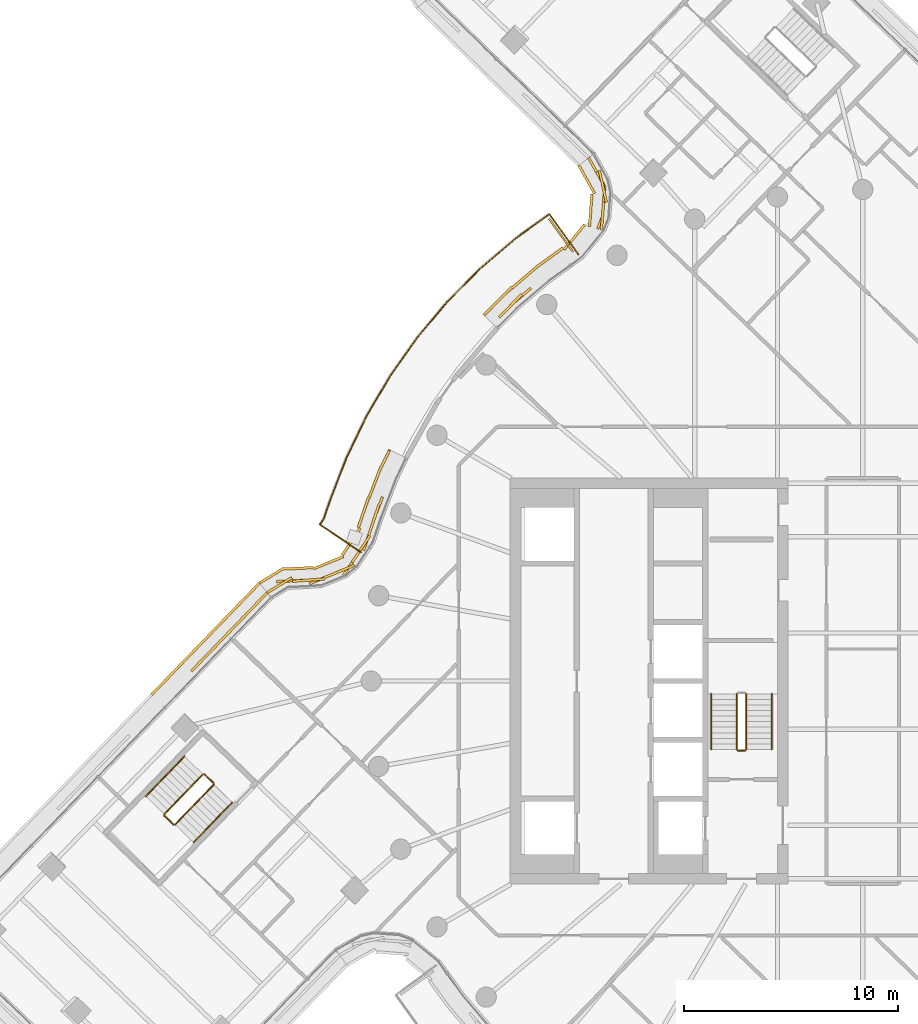
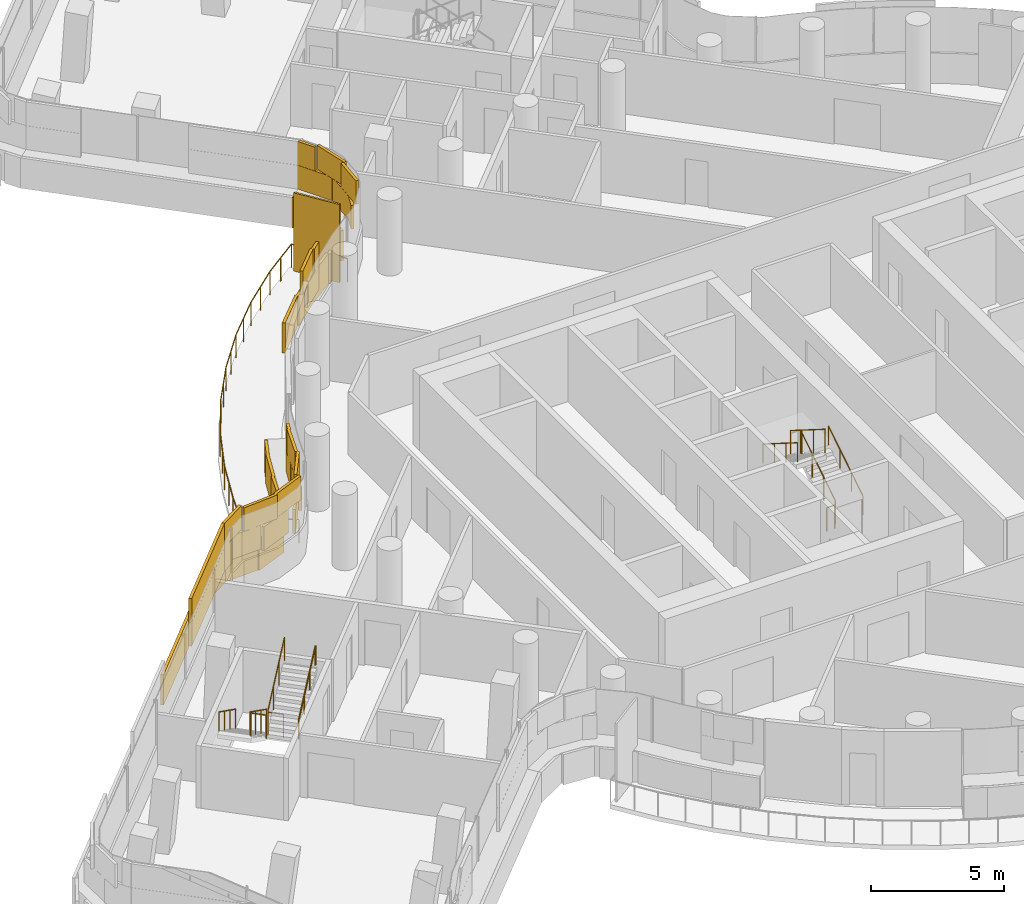
# One storey, part 27 of 31: 12 railings, 3 coverings, 1 shading device.
"""IFC4 building model written with IfcOpenShell, lengths in metres."""

from ifc_helpers import new_model, si_unit, direction, frame, origin, origin_2d, place, context, subcontext, project, spatial, rectangle, circle, extrude, material, layer, layer_set, type_object, element, save


model = new_model("IFC4")

# Units and contexts
model_context = context("Model", 3, precision=1e-05, world=origin(), true_north=direction((0.0, 1.0)))
body_context = subcontext(model_context, "Body", "Model", "MODEL_VIEW")
ifc_project = project(units=[si_unit("LENGTHUNIT", "METRE"), si_unit("AREAUNIT", "SQUARE_METRE"), si_unit("VOLUMEUNIT", "CUBIC_METRE"), si_unit("PLANEANGLEUNIT", "RADIAN"), si_unit("MASSUNIT", "GRAM", prefix="KILO")], contexts=[model_context])

# Site, building, storey
site_placement = place(None, origin())
site = spatial("IfcSite", under=ifc_project, at=site_placement, CompositionType="ELEMENT")
building_placement = place(site_placement, origin())
building = spatial("IfcBuilding", under=site, at=building_placement, Name="Tamarind Cross Interchange Tower", CompositionType="ELEMENT")
storey_placement = place(building_placement, frame((0.0, 0.0, 200.5)))
storey = spatial("IfcBuildingStorey", under=building, at=storey_placement, Name="L50", CompositionType="ELEMENT", Elevation=200.5)

# Railing
ifc_material_1 = material(Name="Stainless steel and laminated glass", Category="steel")
railing_type_1 = type_object("IfcRailingType", Name="Balcony guard", PredefinedType="BALUSTRADE", material=ifc_material_1)
railing_1_placement = place(storey_placement, frame((-13.305908203125, 19.9638671875, 0.0)))
element("IfcRailing", 1, at=railing_1_placement, inside=storey, type_object=railing_type_1, Name="Balcony guard 10", PredefinedType="BALUSTRADE", context=body_context, shape_type="SweptSolid", body=[
    extrude(circle(Radius=0.02490234375, at=origin_2d()), frame((0.0, 0.0, 1.0751953125), z_axis=(-0.584756487111, 0.811208882336, 0.0), x_axis=(-0.811208882336, -0.584756487111, 0.0)), (0.0, 0.0, 1.0), 2.320068359375),
    extrude(circle(Radius=0.02490234375, at=origin_2d()), frame((-1.356689453125, 1.882080078125, 1.0751953125), z_axis=(-0.811220306659, -0.584740638287, 0.0), x_axis=(0.584740638287, -0.811220306659, 0.0)), (0.0, 0.0, 1.0), 1.9619140625),
    extrude(circle(Radius=0.02490234375, at=origin_2d()), frame((-2.9482421875, 0.73486328125, 1.0751953125), z_axis=(-0.760277812684, -0.649598066146, 0.0), x_axis=(0.649598066146, -0.760277812684, 0.0)), (0.0, 0.0, 1.0), 2.175048828125),
    extrude(circle(Radius=0.02490234375, at=origin_2d()), frame((-4.601806640625, -0.677978515625, 1.0751953125), z_axis=(-0.704069857635, -0.710130717242, 0.0), x_axis=(0.710130717242, -0.704069857635, 0.0)), (0.0, 0.0, 1.0), 2.17529296875),
    extrude(circle(Radius=0.02490234375, at=origin_2d()), frame((-6.13330078125, -2.22265625, 1.0751953125), z_axis=(-0.642984125922, -0.765879503455, 0.0), x_axis=(0.765879503455, -0.642984125922, 0.0)), (0.0, 0.0, 1.0), 2.17529296875),
    extrude(circle(Radius=0.02490234375, at=origin_2d()), frame((-7.531982421875, -3.888671875, 1.0751953125), z_axis=(-0.577590617379, -0.81632657602, 0.0), x_axis=(0.81632657602, -0.577590617379, 0.0)), (0.0, 0.0, 1.0), 2.175048828125),
    extrude(circle(Radius=0.02490234375, at=origin_2d()), frame((-8.788330078125, -5.664306640625, 1.0751953125), z_axis=(-0.508226290333, -0.861223570169, 0.0), x_axis=(0.861223570169, -0.508226290333, 0.0)), (0.0, 0.0, 1.0), 2.175048828125),
    extrude(circle(Radius=0.02490234375, at=origin_2d()), frame((-9.893798828125, -7.53759765625, 1.0751953125), z_axis=(-0.435276325285, -0.90029690694, 0.0), x_axis=(0.90029690694, -0.435276325285, 0.0)), (0.0, 0.0, 1.0), 2.175048828125),
    extrude(circle(Radius=0.02490234375, at=origin_2d()), frame((-10.840576171875, -9.495849609375, 1.0751953125), z_axis=(-0.359548088139, -0.933126557502, 0.0), x_axis=(0.933126557502, -0.359548088139, 0.0)), (0.0, 0.0, 1.0), 2.12744140625),
    extrude(circle(Radius=0.02490234375, at=origin_2d()), frame((-11.60546875, -11.48095703125, 1.0751953125), z_axis=(-0.320483673081, -0.947254039468, 0.0), x_axis=(0.947254039468, -0.320483673081, 0.0)), (0.0, 0.0, 1.0), 0.9287109375),
    extrude(circle(Radius=0.02490234375, at=origin_2d()), frame((-11.903076171875, -12.360595703125, 1.0751953125), z_axis=(-0.554052644514, -0.832481631694, 0.0), x_axis=(0.832481631694, -0.554052644514, 0.0)), (0.0, 0.0, 1.0), 0.34814453125),
    extrude(circle(Radius=0.02490234375, at=origin_2d()), frame((-12.095947265625, -12.650390625, 1.0751953125), z_axis=(0.832406301718, -0.554165813508, 0.0), x_axis=(0.554165813508, 0.832406301718, 0.0)), (0.0, 0.0, 1.0), 2.320068359375),
    extrude(circle(Radius=0.02001953125, at=origin_2d()), origin(), (0.0, 0.0, 1.0), 1.050048828125),
    extrude(circle(Radius=0.02001953125, at=origin_2d()), frame((-0.67822265625, 0.94091796875, 0.0)), (0.0, 0.0, 1.0), 1.050048828125),
    extrude(circle(Radius=0.02001953125, at=origin_2d()), frame((-1.356689453125, 1.882080078125, 0.0)), (0.0, 0.0, 1.0), 1.050048828125),
    extrude(circle(Radius=0.02001953125, at=origin_2d()), frame((-2.15234375, 1.30859375, 0.0)), (0.0, 0.0, 1.0), 1.050048828125),
    extrude(circle(Radius=0.02001953125, at=origin_2d()), frame((-2.9482421875, 0.73486328125, 0.0)), (0.0, 0.0, 1.0), 1.050048828125),
    extrude(circle(Radius=0.02001953125, at=origin_2d()), frame((-3.77490234375, 0.0283203125, 0.0)), (0.0, 0.0, 1.0), 1.050048828125),
    extrude(circle(Radius=0.02001953125, at=origin_2d()), frame((-4.601806640625, -0.677978515625, 0.0)), (0.0, 0.0, 1.0), 1.050048828125),
    extrude(circle(Radius=0.02001953125, at=origin_2d()), frame((-5.36767578125, -1.4501953125, 0.0)), (0.0, 0.0, 1.0), 1.050048828125),
    extrude(circle(Radius=0.02001953125, at=origin_2d()), frame((-6.13330078125, -2.22265625, 0.0)), (0.0, 0.0, 1.0), 1.050048828125),
    extrude(circle(Radius=0.02001953125, at=origin_2d()), frame((-6.83251953125, -3.0556640625, 0.0)), (0.0, 0.0, 1.0), 1.050048828125),
    extrude(circle(Radius=0.02001953125, at=origin_2d()), frame((-7.531982421875, -3.888671875, 0.0)), (0.0, 0.0, 1.0), 1.050048828125),
    extrude(circle(Radius=0.02001953125, at=origin_2d()), frame((-8.16015625, -4.7763671875, 0.0)), (0.0, 0.0, 1.0), 1.050048828125),
    extrude(circle(Radius=0.02001953125, at=origin_2d()), frame((-8.788330078125, -5.664306640625, 0.0)), (0.0, 0.0, 1.0), 1.050048828125),
    extrude(circle(Radius=0.02001953125, at=origin_2d()), frame((-9.341064453125, -6.60107421875, 0.0)), (0.0, 0.0, 1.0), 1.050048828125),
    extrude(circle(Radius=0.02001953125, at=origin_2d()), frame((-9.893798828125, -7.53759765625, 0.0)), (0.0, 0.0, 1.0), 1.050048828125),
    extrude(circle(Radius=0.02001953125, at=origin_2d()), frame((-10.3671875, -8.5166015625, 0.0)), (0.0, 0.0, 1.0), 1.050048828125),
    extrude(circle(Radius=0.02001953125, at=origin_2d()), frame((-10.840576171875, -9.495849609375, 0.0)), (0.0, 0.0, 1.0), 1.050048828125),
    extrude(circle(Radius=0.02001953125, at=origin_2d()), frame((-11.22314453125, -10.48828125, 0.0)), (0.0, 0.0, 1.0), 1.050048828125),
    extrude(circle(Radius=0.02001953125, at=origin_2d()), frame((-11.60546875, -11.48095703125, 0.0)), (0.0, 0.0, 1.0), 1.050048828125),
    extrude(circle(Radius=0.02001953125, at=origin_2d()), frame((-11.903076171875, -12.360595703125, 0.0)), (0.0, 0.0, 1.0), 1.050048828125),
    extrude(circle(Radius=0.02001953125, at=origin_2d()), frame((-12.095947265625, -12.650390625, 0.0)), (0.0, 0.0, 1.0), 1.050048828125),
    extrude(circle(Radius=0.02001953125, at=origin_2d()), frame((-11.13037109375, -13.293212890625, 0.0)), (0.0, 0.0, 1.0), 1.050048828125),
    extrude(circle(Radius=0.02001953125, at=origin_2d()), frame((-10.164794921875, -13.93603515625, 0.0)), (0.0, 0.0, 1.0), 1.050048828125),
])

# Shading device
ifc_material_2 = material(Name="Bronze-finish aluminium louvre", Category="aluminium")
ifc_layer_1 = layer(ifc_material_2, 0.080078125)
ifc_layer_set_1 = layer_set([ifc_layer_1], Name="Bronze-finish aluminium louvre")
shading_device_type = type_object("IfcShadingDeviceType", Name="Operable louvre bay", PredefinedType="JALOUSIE", material=ifc_layer_set_1)
shading_device_placement = place(storey_placement, origin())
element("IfcShadingDevice", 2, at=shading_device_placement, inside=storey, type_object=shading_device_type, Name="LVR-L50-BAL10", PredefinedType="JALOUSIE", context=body_context, shape_type="SweptSolid", body=[
    extrude(rectangle(XDim=1.89990234375, YDim=0.080078125, at=origin_2d()), frame((-14.121337890625, 20.85546875, 0.0), z_axis=(0.0, 0.0, 1.0), x_axis=(-0.584744678632, 0.811217394298, 0.0)), (0.0, 0.0, 1.0), 3.60009765625),
])

# Railings
ifc_material_3 = material(Name="Stair guard")
railing_type_2 = type_object("IfcRailingType", Name="Stair guard", PredefinedType="GUARDRAIL", material=ifc_material_3)
railing_2_placement = place(storey_placement, frame((-5.449951171875, -3.199951171875, 0.16357421875)))
element("IfcRailing", 3, at=railing_2_placement, inside=storey, type_object=railing_type_2, Name="L50 ST1 stair guard 1", PredefinedType="GUARDRAIL", context=body_context, shape_type="SweptSolid", body=[
    extrude(circle(Radius=0.02392578125, at=origin_2d()), frame((0.0, 0.0, 1.076171875), z_axis=(0.0, 0.846301844409, 0.532703658848), x_axis=(-1.0, 0.0, 0.0)), (0.0, 0.0, 1.0), 3.072021484375),
    extrude(circle(Radius=0.02099609375, at=origin_2d()), origin(), (0.0, 0.0, 1.0), 1.052001953125),
    extrude(circle(Radius=0.02099609375, at=origin_2d()), frame((0.0, 0.86669921875, 0.54541015625)), (0.0, 0.0, 1.0), 1.052001953125),
    extrude(circle(Radius=0.02099609375, at=origin_2d()), frame((0.0, 1.733154296875, 1.091064453125)), (0.0, 0.0, 1.0), 1.052001953125),
    extrude(circle(Radius=0.02099609375, at=origin_2d()), frame((0.0, 2.599853515625, 1.636474609375)), (0.0, 0.0, 1.0), 1.052001953125),
])
railing_3_placement = place(storey_placement, frame((-5.89990234375, -0.60009765625, 1.963623046875)))
element("IfcRailing", 4, at=railing_3_placement, inside=storey, type_object=railing_type_2, Name="L50 ST1 stair guard 3", PredefinedType="GUARDRAIL", context=body_context, shape_type="SweptSolid", body=[
    extrude(circle(Radius=0.02392578125, at=origin_2d()), frame((0.0, 0.0, 1.076171875), z_axis=(0.0, -0.846301844409, 0.532703658848), x_axis=(1.0, 0.0, 0.0)), (0.0, 0.0, 1.0), 3.072021484375),
    extrude(circle(Radius=0.02099609375, at=origin_2d()), origin(), (0.0, 0.0, 1.0), 1.052001953125),
    extrude(circle(Radius=0.02099609375, at=origin_2d()), frame((0.0, -0.86669921875, 0.54541015625)), (0.0, 0.0, 1.0), 1.052001953125),
    extrude(circle(Radius=0.02099609375, at=origin_2d()), frame((0.0, -1.733154296875, 1.091064453125)), (0.0, 0.0, 1.0), 1.052001953125),
    extrude(circle(Radius=0.02099609375, at=origin_2d()), frame((0.0, -2.599853515625, 1.636474609375)), (0.0, 0.0, 1.0), 1.052001953125),
])
railing_4_placement = place(storey_placement, frame((-5.5, -3.25, 0.0)))
element("IfcRailing", 5, at=railing_4_placement, inside=storey, type_object=railing_type_2, Name="L50 ST1 stair guard 4", PredefinedType="GUARDRAIL", context=body_context, shape_type="SweptSolid", body=[
    extrude(circle(Radius=0.02392578125, at=origin_2d()), frame((0.0, 0.0, 1.076171875), z_axis=(-1.0, 0.0, 0.0), x_axis=(0.0, -1.0, 0.0)), (0.0, 0.0, 1.0), 0.35009765625),
    extrude(circle(Radius=0.02099609375, at=origin_2d()), origin(), (0.0, 0.0, 1.0), 1.052001953125),
    extrude(circle(Radius=0.02099609375, at=origin_2d()), frame((-0.35009765625, 0.0, 0.0)), (0.0, 0.0, 1.0), 1.052001953125),
])
railing_5_placement = place(storey_placement, frame((-30.872314453125, -4.3583984375, 0.16357421875)))
element("IfcRailing", 6, at=railing_5_placement, inside=storey, type_object=railing_type_2, Name="L50 ST5 stair guard 1", PredefinedType="GUARDRAIL", context=body_context, shape_type="SweptSolid", body=[
    extrude(circle(Radius=0.02392578125, at=origin_2d()), frame((0.0, 0.0, 1.076171875), z_axis=(-0.588221351521, -0.608485664496, 0.532673293603), x_axis=(0.718977427479, -0.695033422776, 0.0)), (0.0, 0.0, 1.0), 3.072265625),
    extrude(circle(Radius=0.02099609375, at=origin_2d()), origin(), (0.0, 0.0, 1.0), 1.052001953125),
    extrude(circle(Radius=0.02099609375, at=origin_2d()), frame((-0.602294921875, -0.623046875, 0.54541015625)), (0.0, 0.0, 1.0), 1.052001953125),
    extrude(circle(Radius=0.02099609375, at=origin_2d()), frame((-1.204833984375, -1.246337890625, 1.091064453125)), (0.0, 0.0, 1.0), 1.052001953125),
    extrude(circle(Radius=0.02099609375, at=origin_2d()), frame((-1.80712890625, -1.869384765625, 1.636474609375)), (0.0, 0.0, 1.0), 1.052001953125),
])
railing_6_placement = place(storey_placement, frame((-32.67822265625, -6.29833984375, 1.800048828125)))
element("IfcRailing", 7, at=railing_6_placement, inside=storey, type_object=railing_type_2, Name="L50 ST5 stair guard 2", PredefinedType="GUARDRAIL", context=body_context, shape_type="SweptSolid", body=[
    extrude(circle(Radius=0.02392578125, at=origin_2d()), frame((0.0, 0.0, 1.076171875), z_axis=(0.71900870952, -0.695001061607, 0.0), x_axis=(0.695001061607, 0.71900870952, 0.0)), (0.0, 0.0, 1.0), 0.60009765625),
    extrude(circle(Radius=0.02099609375, at=origin_2d()), origin(), (0.0, 0.0, 1.0), 1.052001953125),
    extrude(circle(Radius=0.02099609375, at=origin_2d()), frame((0.431396484375, -0.4169921875, 0.0)), (0.0, 0.0, 1.0), 1.052001953125),
])
railing_7_placement = place(storey_placement, frame((-32.176025390625, -6.714111328125, 1.963623046875)))
element("IfcRailing", 8, at=railing_7_placement, inside=storey, type_object=railing_type_2, Name="L50 ST5 stair guard 3", PredefinedType="GUARDRAIL", context=body_context, shape_type="SweptSolid", body=[
    extrude(circle(Radius=0.02392578125, at=origin_2d()), frame((0.0, 0.0, 1.076171875), z_axis=(0.588221351521, 0.608485664496, 0.532673293603), x_axis=(-0.718977427479, 0.695033422776, 0.0)), (0.0, 0.0, 1.0), 3.072265625),
    extrude(circle(Radius=0.02099609375, at=origin_2d()), origin(), (0.0, 0.0, 1.0), 1.052001953125),
    extrude(circle(Radius=0.02099609375, at=origin_2d()), frame((0.602294921875, 0.623046875, 0.54541015625)), (0.0, 0.0, 1.0), 1.052001953125),
    extrude(circle(Radius=0.02099609375, at=origin_2d()), frame((1.204833984375, 1.246337890625, 1.091064453125)), (0.0, 0.0, 1.0), 1.052001953125),
    extrude(circle(Radius=0.02099609375, at=origin_2d()), frame((1.80712890625, 1.869384765625, 1.636474609375)), (0.0, 0.0, 1.0), 1.052001953125),
])
railing_8_placement = place(storey_placement, frame((-30.801513671875, -4.357177734375, 0.0)))
element("IfcRailing", 9, at=railing_8_placement, inside=storey, type_object=railing_type_2, Name="L50 ST5 stair guard 4", PredefinedType="GUARDRAIL", context=body_context, shape_type="SweptSolid", body=[
    extrude(circle(Radius=0.02392578125, at=origin_2d()), frame((0.0, 0.0, 1.076171875), z_axis=(0.71900870952, -0.695001061607, 0.0), x_axis=(0.695001061607, 0.71900870952, 0.0)), (0.0, 0.0, 1.0), 0.60009765625),
    extrude(circle(Radius=0.02099609375, at=origin_2d()), origin(), (0.0, 0.0, 1.0), 1.052001953125),
    extrude(circle(Radius=0.02099609375, at=origin_2d()), frame((0.431396484375, -0.4169921875, 0.0)), (0.0, 0.0, 1.0), 1.052001953125),
])
ifc_material_4 = material(Name="Stair handrail")
railing_type_3 = type_object("IfcRailingType", Name="Stair handrail", PredefinedType="HANDRAIL", material=ifc_material_4)
railing_9_placement = place(storey_placement, frame((-4.25, -3.199951171875, 0.16357421875)))
element("IfcRailing", 10, at=railing_9_placement, inside=storey, type_object=railing_type_3, Name="L50 ST1 stair handrail 1", PredefinedType="HANDRAIL", context=body_context, shape_type="SweptSolid", body=[
    extrude(circle(Radius=0.02392578125, at=origin_2d()), frame((0.0, 0.0, 0.8759765625), z_axis=(0.0, 0.846301844409, 0.532703658848), x_axis=(-1.0, 0.0, 0.0)), (0.0, 0.0, 1.0), 3.072021484375),
    extrude(circle(Radius=0.02099609375, at=origin_2d()), origin(), (0.0, 0.0, 1.0), 0.851806640625),
    extrude(circle(Radius=0.02099609375, at=origin_2d()), frame((0.0, 0.86669921875, 0.54541015625)), (0.0, 0.0, 1.0), 0.851806640625),
    extrude(circle(Radius=0.02099609375, at=origin_2d()), frame((0.0, 1.733154296875, 1.091064453125)), (0.0, 0.0, 1.0), 0.851806640625),
    extrude(circle(Radius=0.02099609375, at=origin_2d()), frame((0.0, 2.599853515625, 1.636474609375)), (0.0, 0.0, 1.0), 0.851806640625),
])
railing_10_placement = place(storey_placement, frame((-7.10009765625, -0.60009765625, 1.963623046875)))
element("IfcRailing", 11, at=railing_10_placement, inside=storey, type_object=railing_type_3, Name="L50 ST1 stair handrail 2", PredefinedType="HANDRAIL", context=body_context, shape_type="SweptSolid", body=[
    extrude(circle(Radius=0.02392578125, at=origin_2d()), frame((0.0, 0.0, 0.8759765625), z_axis=(0.0, -0.846301844409, 0.532703658848), x_axis=(1.0, 0.0, 0.0)), (0.0, 0.0, 1.0), 3.072021484375),
    extrude(circle(Radius=0.02099609375, at=origin_2d()), origin(), (0.0, 0.0, 1.0), 0.851806640625),
    extrude(circle(Radius=0.02099609375, at=origin_2d()), frame((0.0, -0.86669921875, 0.54541015625)), (0.0, 0.0, 1.0), 0.851806640625),
    extrude(circle(Radius=0.02099609375, at=origin_2d()), frame((0.0, -1.733154296875, 1.091064453125)), (0.0, 0.0, 1.0), 0.851806640625),
    extrude(circle(Radius=0.02099609375, at=origin_2d()), frame((0.0, -2.599853515625, 1.636474609375)), (0.0, 0.0, 1.0), 0.851806640625),
])
railing_11_placement = place(storey_placement, frame((-31.735107421875, -3.524169921875, 0.16357421875)))
element("IfcRailing", 12, at=railing_11_placement, inside=storey, type_object=railing_type_3, Name="L50 ST5 stair handrail 1", PredefinedType="HANDRAIL", context=body_context, shape_type="SweptSolid", body=[
    extrude(circle(Radius=0.02392578125, at=origin_2d()), frame((0.0, 0.0, 0.8759765625), z_axis=(-0.588221351521, -0.608485664496, 0.532673293603), x_axis=(0.718977427479, -0.695033422776, 0.0)), (0.0, 0.0, 1.0), 3.072265625),
    extrude(circle(Radius=0.02099609375, at=origin_2d()), origin(), (0.0, 0.0, 1.0), 0.851806640625),
    extrude(circle(Radius=0.02099609375, at=origin_2d()), frame((-0.602294921875, -0.623046875, 0.54541015625)), (0.0, 0.0, 1.0), 0.851806640625),
    extrude(circle(Radius=0.02099609375, at=origin_2d()), frame((-1.204833984375, -1.246337890625, 1.091064453125)), (0.0, 0.0, 1.0), 0.851806640625),
    extrude(circle(Radius=0.02099609375, at=origin_2d()), frame((-1.80712890625, -1.869384765625, 1.636474609375)), (0.0, 0.0, 1.0), 0.851806640625),
])
railing_12_placement = place(storey_placement, frame((-31.313232421875, -7.548095703125, 1.963623046875)))
element("IfcRailing", 13, at=railing_12_placement, inside=storey, type_object=railing_type_3, Name="L50 ST5 stair handrail 2", PredefinedType="HANDRAIL", context=body_context, shape_type="SweptSolid", body=[
    extrude(circle(Radius=0.02392578125, at=origin_2d()), frame((0.0, 0.0, 0.8759765625), z_axis=(0.588221351521, 0.608485664496, 0.532673293603), x_axis=(-0.718977427479, 0.695033422776, 0.0)), (0.0, 0.0, 1.0), 3.072265625),
    extrude(circle(Radius=0.02099609375, at=origin_2d()), origin(), (0.0, 0.0, 1.0), 0.851806640625),
    extrude(circle(Radius=0.02099609375, at=origin_2d()), frame((0.602294921875, 0.623046875, 0.54541015625)), (0.0, 0.0, 1.0), 0.851806640625),
    extrude(circle(Radius=0.02099609375, at=origin_2d()), frame((1.204833984375, 1.246337890625, 1.091064453125)), (0.0, 0.0, 1.0), 0.851806640625),
    extrude(circle(Radius=0.02099609375, at=origin_2d()), frame((1.80712890625, 1.869384765625, 1.636474609375)), (0.0, 0.0, 1.0), 0.851806640625),
])

# Coverings
ifc_material_5 = material(Name="Terracotta", Category="masonry")
ifc_layer_2 = layer(ifc_material_5, 0.1201171875)
ifc_layer_set_2 = layer_set([ifc_layer_2], Name="Terracotta")
covering_type = type_object("IfcCoveringType", Name="Terracotta baguette screen unit", PredefinedType="MOLDING", material=ifc_layer_set_2)
covering_1_placement = place(storey_placement, origin())
element("IfcCovering", 14, at=covering_1_placement, inside=storey, type_object=covering_type, Name="SCR-L50-10-00", PredefinedType="MOLDING", context=body_context, shape_type="SweptSolid", body=[
    extrude(rectangle(XDim=1.510009765625, YDim=0.1201171875, at=origin_2d()), frame((-12.459716796875, 23.82421875, 1.40380859375), z_axis=(0.0, 0.0, 1.0), x_axis=(0.488322531759, -0.872663225406, 0.0)), (0.0, 0.0, 1.0), 1.092041015625),
    extrude(rectangle(XDim=1.52001953125, YDim=0.1201171875, at=origin_2d()), frame((-12.127197265625, 22.4033203125, 1.40380859375), z_axis=(0.0, 0.0, 1.0), x_axis=(-0.074130109387, -0.99724857828, 0.0)), (0.0, 0.0, 1.0), 1.092041015625),
    extrude(rectangle(XDim=0.551513671875, YDim=0.1201171875, at=origin_2d()), frame((-12.304931640625, 21.408203125, 1.40380859375), z_axis=(0.0, 0.0, 1.0), x_axis=(-0.358238508431, -0.93363010399, 0.0)), (0.0, 0.0, 1.0), 1.092041015625),
    extrude(rectangle(XDim=1.2685546875, YDim=0.1201171875, at=origin_2d()), frame((-16.010009765625, 17.97412109375, 1.40380859375), z_axis=(0.0, 0.0, 1.0), x_axis=(-0.760295606781, -0.64957723968, 0.0)), (0.0, 0.0, 1.0), 1.092041015625),
    extrude(rectangle(XDim=0.760009765625, YDim=0.1201171875, at=origin_2d()), frame((-12.642822265625, 24.1513671875, 2.50390625), z_axis=(0.0, 0.0, 1.0), x_axis=(0.488322531759, -0.872663225406, 0.0)), (0.0, 0.0, 1.0), 1.092041015625),
    extrude(rectangle(XDim=1.52001953125, YDim=0.1201171875, at=origin_2d()), frame((-12.158447265625, 23.14501953125, 2.50390625), z_axis=(0.0, 0.0, 1.0), x_axis=(0.216261920423, -0.976335383859, 0.0)), (0.0, 0.0, 1.0), 1.092041015625),
    extrude(rectangle(XDim=1.301513671875, YDim=0.1201171875, at=origin_2d()), frame((-12.175048828125, 21.75927734375, 2.50390625), z_axis=(0.0, 0.0, 1.0), x_axis=(-0.074130109387, -0.99724857828, 0.0)), (0.0, 0.0, 1.0), 1.092041015625),
    extrude(rectangle(XDim=0.5185546875, YDim=0.1201171875, at=origin_2d()), frame((-15.724853515625, 18.2177734375, 2.50390625), z_axis=(0.0, 0.0, 1.0), x_axis=(-0.760295606781, -0.64957723968, 0.0)), (0.0, 0.0, 1.0), 1.092041015625),
    extrude(rectangle(XDim=1.52001953125, YDim=0.1201171875, at=origin_2d()), frame((-16.481201171875, 17.5576171875, 2.50390625), z_axis=(0.0, 0.0, 1.0), x_axis=(-0.704057148523, -0.710143317658, 0.0)), (0.0, 0.0, 1.0), 1.092041015625),
    extrude(rectangle(XDim=1.510009765625, YDim=0.1201171875, at=origin_2d()), frame((-12.91748046875, 23.466796875, 0.00390625), z_axis=(0.0, 0.0, 1.0), x_axis=(0.488322531759, -0.872663225406, 0.0)), (0.0, 0.0, 1.0), 1.39208984375),
    extrude(rectangle(XDim=1.52001953125, YDim=0.1201171875, at=origin_2d()), frame((-12.73095703125, 22.02587890625, 0.00390625), z_axis=(0.0, 0.0, 1.0), x_axis=(-0.074130109387, -0.99724857828, 0.0)), (0.0, 0.0, 1.0), 1.39208984375),
    extrude(rectangle(XDim=1.52001953125, YDim=0.1201171875, at=origin_2d()), frame((-13.494384765625, 20.7724609375, 0.00390625), z_axis=(0.0, 0.0, 1.0), x_axis=(-0.63293370193, -0.774205999047, 0.0)), (0.0, 0.0, 1.0), 1.39208984375),
    extrude(rectangle(XDim=1.52001953125, YDim=0.1201171875, at=origin_2d()), frame((-14.640625, 19.8203125, 0.00390625), z_axis=(0.0, 0.0, 1.0), x_axis=(-0.811217394298, -0.584744678632, 0.0)), (0.0, 0.0, 1.0), 1.39208984375),
    extrude(rectangle(XDim=1.52001953125, YDim=0.1201171875, at=origin_2d()), frame((-15.818115234375, 18.89306640625, 0.00390625), z_axis=(0.0, 0.0, 1.0), x_axis=(-0.760295606781, -0.64957723968, 0.0)), (0.0, 0.0, 1.0), 1.39208984375),
    extrude(rectangle(XDim=1.52001953125, YDim=0.1201171875, at=origin_2d()), frame((-16.9453125, 17.904541015625, 0.00390625), z_axis=(0.0, 0.0, 1.0), x_axis=(-0.704057148523, -0.710143317658, 0.0)), (0.0, 0.0, 1.0), 1.39208984375),
    extrude(rectangle(XDim=0.37060546875, YDim=0.1201171875, at=origin_2d()), frame((-17.596923828125, 17.24755859375, 0.00390625), z_axis=(0.0, 0.0, 1.0), x_axis=(-0.704057148523, -0.710143317658, 0.0)), (0.0, 0.0, 1.0), 1.39208984375),
    extrude(rectangle(XDim=0.03076171875, YDim=0.1201171875, at=origin_2d()), frame((-22.144775390625, 10.8037109375, 0.00390625), z_axis=(0.0, 0.0, 1.0), x_axis=(-0.435326231914, -0.900272776334, 0.0)), (0.0, 0.0, 1.0), 1.39208984375),
])
covering_2_placement = place(storey_placement, origin())
element("IfcCovering", 15, at=covering_2_placement, inside=storey, type_object=covering_type, Name="SCR-L50-10-01", PredefinedType="MOLDING", context=body_context, shape_type="SweptSolid", body=[
    extrude(rectangle(XDim=1.1513671875, YDim=0.1201171875, at=origin_2d()), frame((-22.67626953125, 8.081298828125, 1.40380859375), z_axis=(0.0, 0.0, 1.0), x_axis=(-0.359495435512, -0.933146843667, 0.0)), (0.0, 0.0, 1.0), 1.092041015625),
    extrude(rectangle(XDim=1.52001953125, YDim=0.1201171875, at=origin_2d()), frame((-23.114501953125, 6.835693359375, 1.40380859375), z_axis=(0.0, 0.0, 1.0), x_axis=(-0.320588545215, -0.947218551696, 0.0)), (0.0, 0.0, 1.0), 1.092041015625),
    extrude(rectangle(XDim=1.52001953125, YDim=0.1201171875, at=origin_2d()), frame((-23.890380859375, 5.559814453125, 1.40380859375), z_axis=(0.0, 0.0, 1.0), x_axis=(-0.554175191655, -0.832400058238, 0.0)), (0.0, 0.0, 1.0), 1.092041015625),
    extrude(rectangle(XDim=1.52001953125, YDim=0.1201171875, at=origin_2d()), frame((-25.1875, 4.8427734375, 1.40380859375), z_axis=(0.0, 0.0, 1.0), x_axis=(-0.925896127958, -0.377778189197, 0.0)), (0.0, 0.0, 1.0), 1.092041015625),
    extrude(rectangle(XDim=1.52001953125, YDim=0.1201171875, at=origin_2d()), frame((-26.669921875, 4.689697265625, 1.40380859375), z_axis=(0.0, 0.0, 1.0), x_axis=(-0.999027223367, -0.044097698036, 0.0)), (0.0, 0.0, 1.0), 1.092041015625),
    extrude(rectangle(XDim=0.606201171875, YDim=0.1201171875, at=origin_2d()), frame((-27.609130859375, 4.291259765625, 1.40380859375), z_axis=(0.0, 0.0, 1.0), x_axis=(-0.852731856383, -0.522348907446, 0.0)), (0.0, 0.0, 1.0), 1.092041015625),
    extrude(rectangle(XDim=0.4013671875, YDim=0.1201171875, at=origin_2d()), frame((-22.54150390625, 8.43115234375, 2.50390625), z_axis=(0.0, 0.0, 1.0), x_axis=(-0.359495435512, -0.933146843667, 0.0)), (0.0, 0.0, 1.0), 1.092041015625),
    extrude(rectangle(XDim=1.52001953125, YDim=0.1201171875, at=origin_2d()), frame((-22.8740234375, 7.546142578125, 2.50390625), z_axis=(0.0, 0.0, 1.0), x_axis=(-0.320588545215, -0.947218551696, 0.0)), (0.0, 0.0, 1.0), 1.092041015625),
    extrude(rectangle(XDim=1.52001953125, YDim=0.1201171875, at=origin_2d()), frame((-23.474853515625, 6.18408203125, 2.50390625), z_axis=(0.0, 0.0, 1.0), x_axis=(-0.554175191655, -0.832400058238, 0.0)), (0.0, 0.0, 1.0), 1.092041015625),
    extrude(rectangle(XDim=1.52001953125, YDim=0.1201171875, at=origin_2d()), frame((-24.492919921875, 5.1259765625, 2.50390625), z_axis=(0.0, 0.0, 1.0), x_axis=(-0.925896127958, -0.377778189197, 0.0)), (0.0, 0.0, 1.0), 1.092041015625),
    extrude(rectangle(XDim=1.52001953125, YDim=0.1201171875, at=origin_2d()), frame((-25.920654296875, 4.72412109375, 2.50390625), z_axis=(0.0, 0.0, 1.0), x_axis=(-0.997119794392, -0.075842703225, 0.0)), (0.0, 0.0, 1.0), 1.092041015625),
    extrude(rectangle(XDim=1.356201171875, YDim=0.1201171875, at=origin_2d()), frame((-27.28955078125, 4.487060546875, 2.50390625), z_axis=(0.0, 0.0, 1.0), x_axis=(-0.852731856383, -0.522348907446, 0.0)), (0.0, 0.0, 1.0), 1.092041015625),
    extrude(rectangle(XDim=0.8935546875, YDim=0.1201171875, at=origin_2d()), frame((-22.345947265625, 10.387451171875, 0.00390625), z_axis=(0.0, 0.0, 1.0), x_axis=(-0.435326231914, -0.900272776334, 0.0)), (0.0, 0.0, 1.0), 1.39208984375),
    extrude(rectangle(XDim=1.52001953125, YDim=0.1201171875, at=origin_2d()), frame((-22.8212890625, 9.30126953125, 0.00390625), z_axis=(0.0, 0.0, 1.0), x_axis=(-0.359495435512, -0.933146843667, 0.0)), (0.0, 0.0, 1.0), 1.39208984375),
    extrude(rectangle(XDim=1.52001953125, YDim=0.1201171875, at=origin_2d()), frame((-23.35986328125, 7.901123046875, 0.00390625), z_axis=(0.0, 0.0, 1.0), x_axis=(-0.320588545215, -0.947218551696, 0.0)), (0.0, 0.0, 1.0), 1.39208984375),
    extrude(rectangle(XDim=1.52001953125, YDim=0.1201171875, at=origin_2d()), frame((-23.93603515625, 6.527099609375, 0.00390625), z_axis=(0.0, 0.0, 1.0), x_axis=(-0.554175191655, -0.832400058238, 0.0)), (0.0, 0.0, 1.0), 1.39208984375),
    extrude(rectangle(XDim=1.52001953125, YDim=0.1201171875, at=origin_2d()), frame((-25.001220703125, 5.53857421875, 0.00390625), z_axis=(0.0, 0.0, 1.0), x_axis=(-0.925896127958, -0.377778189197, 0.0)), (0.0, 0.0, 1.0), 1.39208984375),
    extrude(rectangle(XDim=1.52001953125, YDim=0.1201171875, at=origin_2d()), frame((-26.458740234375, 5.273681640625, 0.00390625), z_axis=(0.0, 0.0, 1.0), x_axis=(-0.999027223367, -0.044097698036, 0.0)), (0.0, 0.0, 1.0), 1.39208984375),
    extrude(rectangle(XDim=1.21240234375, YDim=0.1201171875, at=origin_2d()), frame((-27.70849609375, 4.903564453125, 0.00390625), z_axis=(0.0, 0.0, 1.0), x_axis=(-0.852731856383, -0.522348907446, 0.0)), (0.0, 0.0, 1.0), 1.39208984375),
])
covering_3_placement = place(storey_placement, origin())
element("IfcCovering", 16, at=covering_3_placement, inside=storey, type_object=covering_type, Name="SCR-L50-11-00", PredefinedType="MOLDING", context=body_context, shape_type="SweptSolid", body=[
    extrude(rectangle(XDim=1.510009765625, YDim=0.1201171875, at=origin_2d()), frame((-28.384765625, 3.59619140625, 1.40380859375), z_axis=(0.0, 0.0, 1.0), x_axis=(-0.695019862308, -0.718990536097, 0.0)), (0.0, 0.0, 1.0), 1.092041015625),
    extrude(rectangle(XDim=1.52001953125, YDim=0.1201171875, at=origin_2d()), frame((-29.42724609375, 2.517822265625, 1.40380859375), z_axis=(0.0, 0.0, 1.0), x_axis=(-0.695019862308, -0.718990536097, 0.0)), (0.0, 0.0, 1.0), 1.092041015625),
    extrude(rectangle(XDim=1.52001953125, YDim=0.1201171875, at=origin_2d()), frame((-30.4697265625, 1.439208984375, 1.40380859375), z_axis=(0.0, 0.0, 1.0), x_axis=(-0.695019862308, -0.718990536097, 0.0)), (0.0, 0.0, 1.0), 1.092041015625),
    extrude(rectangle(XDim=0.60498046875, YDim=0.1201171875, at=origin_2d()), frame((-31.19775390625, 0.68603515625, 1.40380859375), z_axis=(0.0, 0.0, 1.0), x_axis=(-0.695019862308, -0.718990536097, 0.0)), (0.0, 0.0, 1.0), 1.092041015625),
    extrude(rectangle(XDim=0.760009765625, YDim=0.1201171875, at=origin_2d()), frame((-28.1240234375, 3.86572265625, 2.50390625), z_axis=(0.0, 0.0, 1.0), x_axis=(-0.695019862308, -0.718990536097, 0.0)), (0.0, 0.0, 1.0), 1.092041015625),
    extrude(rectangle(XDim=1.52001953125, YDim=0.1201171875, at=origin_2d()), frame((-28.906005859375, 3.056884765625, 2.50390625), z_axis=(0.0, 0.0, 1.0), x_axis=(-0.695019862308, -0.718990536097, 0.0)), (0.0, 0.0, 1.0), 1.092041015625),
    extrude(rectangle(XDim=1.52001953125, YDim=0.1201171875, at=origin_2d()), frame((-29.948486328125, 1.978515625, 2.50390625), z_axis=(0.0, 0.0, 1.0), x_axis=(-0.695019862308, -0.718990536097, 0.0)), (0.0, 0.0, 1.0), 1.092041015625),
    extrude(rectangle(XDim=1.35498046875, YDim=0.1201171875, at=origin_2d()), frame((-30.937255859375, 0.955810546875, 2.50390625), z_axis=(0.0, 0.0, 1.0), x_axis=(-0.695019862308, -0.718990536097, 0.0)), (0.0, 0.0, 1.0), 1.092041015625),
    extrude(rectangle(XDim=1.510009765625, YDim=0.1201171875, at=origin_2d()), frame((-28.750244140625, 4.0439453125, 0.00390625), z_axis=(0.0, 0.0, 1.0), x_axis=(-0.695019862308, -0.718990536097, 0.0)), (0.0, 0.0, 1.0), 1.39208984375),
    extrude(rectangle(XDim=1.52001953125, YDim=0.1201171875, at=origin_2d()), frame((-29.789306640625, 2.968994140625, 0.00390625), z_axis=(0.0, 0.0, 1.0), x_axis=(-0.695019862308, -0.718990536097, 0.0)), (0.0, 0.0, 1.0), 1.39208984375),
    extrude(rectangle(XDim=1.52001953125, YDim=0.1201171875, at=origin_2d()), frame((-30.831787109375, 1.890625, 0.00390625), z_axis=(0.0, 0.0, 1.0), x_axis=(-0.695019862308, -0.718990536097, 0.0)), (0.0, 0.0, 1.0), 1.39208984375),
    extrude(rectangle(XDim=1.52001953125, YDim=0.1201171875, at=origin_2d()), frame((-31.874267578125, 0.81201171875, 0.00390625), z_axis=(0.0, 0.0, 1.0), x_axis=(-0.695019862308, -0.718990536097, 0.0)), (0.0, 0.0, 1.0), 1.39208984375),
    extrude(rectangle(XDim=1.25732421875, YDim=0.1201171875, at=origin_2d()), frame((-32.825439453125, -0.171875, 0.00390625), z_axis=(0.0, 0.0, 1.0), x_axis=(-0.695019862308, -0.718990536097, 0.0)), (0.0, 0.0, 1.0), 1.39208984375),
])

save(model, "model.ifc")
